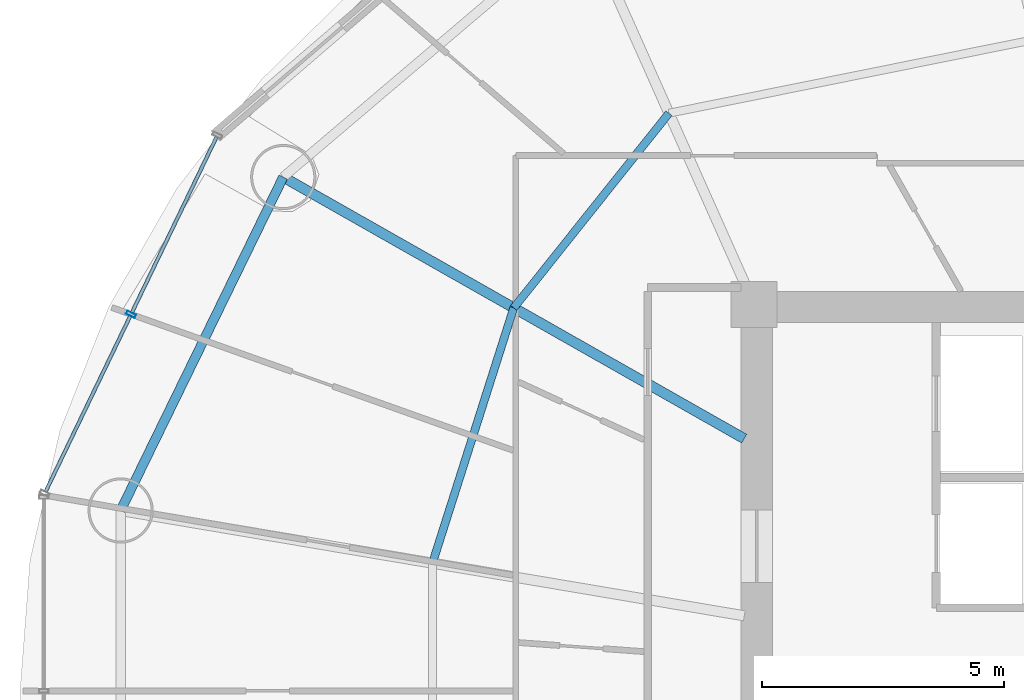
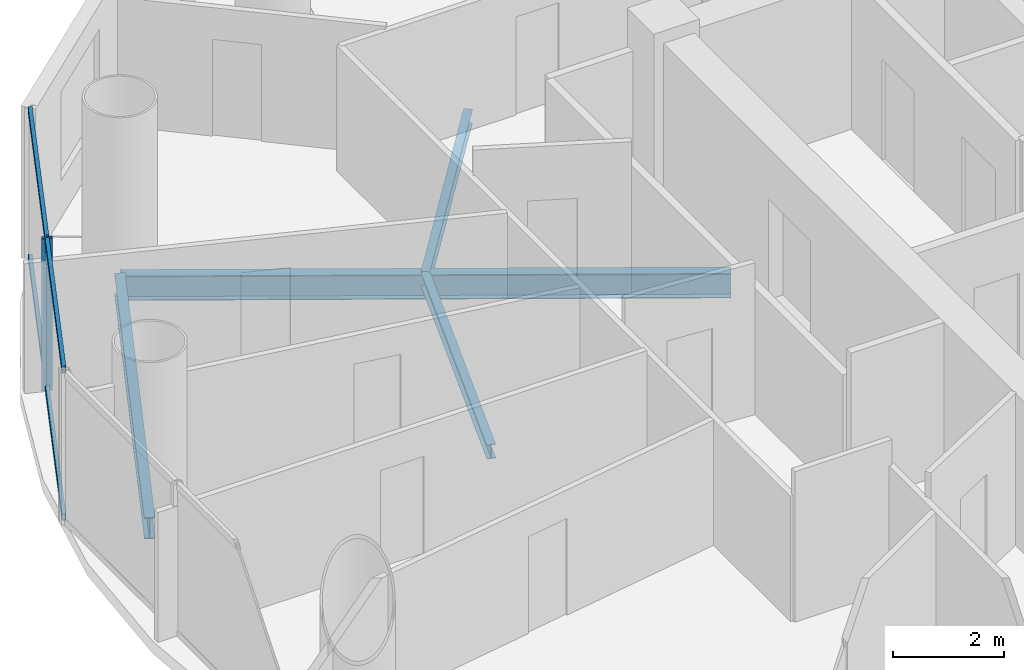
# One storey, part 7 of 26: 5 members, 4 beams, 1 element without a shape of its own.
"""IFC4 building model written with IfcOpenShell, lengths in metres."""

import ifcopenshell
import ifcopenshell.guid

model = None  # the IFC model being written
_history = None  # IfcOwnerHistory: only IFC2X3 demands one
_inside = {}  # id of a spatial element -> (the spatial element, [elements in it])
_under = {}  # id of a project, library or spatial element -> (it, [spatial elements below it])
_declared = {}  # id of a project -> (the project, [libraries it declares])
_typed = {}  # id of a type object -> (the type object, [elements of that type])
_made_of = {}  # id of a material, layer set ... -> (it, [elements and type objects made of it])


def new_model(schema):
    """Start an empty IFC model of exactly this schema.

    Asked for "IFC4X3", IfcOpenShell would pick the latest addendum, in which some entities
    have other attributes; the version numbers below select the first issue.
    IFC2X3 requires an IfcOwnerHistory on every rooted entity: one is made here for all.
    """
    global model, _history
    if schema == "IFC4X3":
        model = ifcopenshell.file(schema_version=(4, 3, 0, 0))
    else:
        model = ifcopenshell.file(schema=schema)
    _inside.clear()
    _under.clear()
    _declared.clear()
    _typed.clear()
    _made_of.clear()
    _history = None
    if model.schema == "IFC2X3":
        org = make("IfcOrganization", Name="unknown")
        user = make(
            "IfcPersonAndOrganization",
            ThePerson=make("IfcPerson", FamilyName="unknown"),
            TheOrganization=org,
        )
        app = make(
            "IfcApplication",
            ApplicationDeveloper=org,
            Version="unknown",
            ApplicationFullName="unknown",
            ApplicationIdentifier="unknown",
        )
        _history = make(
            "IfcOwnerHistory",
            OwningUser=user,
            OwningApplication=app,
            ChangeAction="ADDED",
            CreationDate=0,
        )
    return model


def make(cls, **values):
    """One entity of the class cls with the attributes given. An attribute that is None is left unset."""
    return model.create_entity(
        cls, **{name: value for name, value in values.items() if value is not None}
    )


def rooted(cls, **values):
    """An entity with a GlobalId (a new one), such as an element, a storey or a relation."""
    return make(cls, GlobalId=ifcopenshell.guid.new(), OwnerHistory=_history, **values)


def si_unit(unit_type, name, prefix=None):
    """IfcSIUnit, for example si_unit("LENGTHUNIT", "METRE", prefix="MILLI")."""
    return make("IfcSIUnit", UnitType=unit_type, Prefix=prefix, Name=name)


def assignment(units):
    """IfcUnitAssignment: the units of a project."""
    return None if units is None else make("IfcUnitAssignment", Units=units)


def point(xyz):
    """IfcCartesianPoint."""
    return None if xyz is None else make("IfcCartesianPoint", Coordinates=xyz)


def direction(xyz):
    """IfcDirection."""
    return None if xyz is None else make("IfcDirection", DirectionRatios=xyz)


def frame(location, z_axis=None, x_axis=None):
    """IfcAxis2Placement3D, a coordinate frame: its origin and axes. An axis left out is left unset."""
    return make(
        "IfcAxis2Placement3D",
        Location=point(location),
        Axis=direction(z_axis),
        RefDirection=direction(x_axis),
    )


def frame_2d(location, x_axis=None):
    """IfcAxis2Placement2D, a coordinate frame in the plane: its origin and x axis."""
    return make(
        "IfcAxis2Placement2D", Location=point(location), RefDirection=direction(x_axis)
    )


def origin():
    """The frame at (0, 0, 0) with its axes left unset."""
    return frame((0.0, 0.0, 0.0))


def origin_2d():
    """The frame at (0, 0) in the plane with its x axis left unset."""
    return frame_2d((0.0, 0.0))


def place(relative_to, where):
    """IfcLocalPlacement: puts the frame where relative to a parent placement (None: the world)."""
    return make(
        "IfcLocalPlacement", PlacementRelTo=relative_to, RelativePlacement=where
    )


def context(
    kind, dimensions, precision=None, world=None, true_north=None, identifier=None
):
    """IfcGeometricRepresentationContext, for example the 3D "Model" context."""
    return make(
        "IfcGeometricRepresentationContext",
        ContextIdentifier=identifier,
        ContextType=kind,
        CoordinateSpaceDimension=dimensions,
        Precision=precision,
        WorldCoordinateSystem=world,
        TrueNorth=true_north,
    )


def subcontext(parent, identifier, kind, view, scale=None):
    """IfcGeometricRepresentationSubContext, for example "Body" below "Model"."""
    return make(
        "IfcGeometricRepresentationSubContext",
        ContextIdentifier=identifier,
        ContextType=kind,
        ParentContext=parent,
        TargetScale=scale,
        TargetView=view,
    )


def project(units=None, contexts=None):
    """IfcProject with its units and contexts."""
    return rooted(
        "IfcProject",
        Name="project",
        RepresentationContexts=contexts,
        UnitsInContext=assignment(units),
    )


def spatial(cls, under=None, at=None, **own):
    """A site, building, storey or space (cls), placed at a placement, below another one or the project."""
    s = rooted(cls, ObjectPlacement=at, **own)
    if under is not None:
        _under.setdefault(under.id(), (under, []))[1].append(s)
    return s


def profile(cls, at=None, kind="AREA", **sizes):
    """A parametric profile (cls). Its sizes go by their IFC names, for example OverallWidth=200.0."""
    return make(cls, ProfileType=kind, Position=at, **sizes)


def hollow_rectangle(**sizes):
    """IfcRectangleHollowProfileDef."""
    return profile("IfcRectangleHollowProfileDef", **sizes)


def i_section(**sizes):
    """IfcIShapeProfileDef."""
    return profile("IfcIShapeProfileDef", **sizes)


def extrude(swept, where, along, depth):
    """IfcExtrudedAreaSolid: the profile swept, set in the frame where, extruded along a direction by depth."""
    return make(
        "IfcExtrudedAreaSolid",
        SweptArea=swept,
        Position=where,
        ExtrudedDirection=direction(along),
        Depth=depth,
    )


def shape(context_of_items, identifier, shape_type, items):
    """IfcShapeRepresentation: the items that make up one representation, for example the "Body"."""
    return make(
        "IfcShapeRepresentation",
        ContextOfItems=context_of_items,
        RepresentationIdentifier=identifier,
        RepresentationType=shape_type,
        Items=items,
    )


def source(mapping_origin, context_of_items, identifier, shape_type, items):
    """IfcRepresentationMap: a shape defined once, which mapped items show again and again."""
    return make(
        "IfcRepresentationMap",
        MappingOrigin=mapping_origin,
        MappedRepresentation=shape(context_of_items, identifier, shape_type, items),
    )


def transform(
    local_origin,
    x_axis=None,
    y_axis=None,
    z_axis=None,
    scale=None,
    scale2=None,
    scale3=None,
    uniform=True,
):
    """IfcCartesianTransformationOperator3D, or its non-uniform kind. x_axis, y_axis, z_axis: its Axis1, 2, 3."""
    if uniform:
        return make(
            "IfcCartesianTransformationOperator3D",
            Axis1=direction(x_axis),
            Axis2=direction(y_axis),
            LocalOrigin=point(local_origin),
            Scale=scale,
            Axis3=direction(z_axis),
        )
    return make(
        "IfcCartesianTransformationOperator3DnonUniform",
        Axis1=direction(x_axis),
        Axis2=direction(y_axis),
        LocalOrigin=point(local_origin),
        Scale=scale,
        Axis3=direction(z_axis),
        Scale2=scale2,
        Scale3=scale3,
    )


def mapped(mapping_source, mapping_target):
    """IfcMappedItem: shows the shape of a source again, moved by a transform."""
    return make(
        "IfcMappedItem", MappingSource=mapping_source, MappingTarget=mapping_target
    )


def material(Name=None, Category=None):
    """IfcMaterial."""
    return make("IfcMaterial", Name=Name, Category=Category)


def material_profile(
    of_material, cross_section, Name=None, Category=None, Priority=None
):
    """IfcMaterialProfile: a cross section and its material."""
    return make(
        "IfcMaterialProfile",
        Name=Name,
        Material=of_material,
        Profile=cross_section,
        Priority=Priority,
        Category=Category,
    )


def profile_set(profiles, Name=None, composite=None):
    """IfcMaterialProfileSet."""
    return make(
        "IfcMaterialProfileSet",
        Name=Name,
        MaterialProfiles=profiles,
        CompositeProfile=composite,
    )


def made_of(thing, what):
    """Note that an element or type object is made of a material, layer set ...; save() writes the relation."""
    if what is not None:
        _made_of.setdefault(what.id(), (what, []))[1].append(thing)
    return thing


def type_object(cls, material=None, **own):
    """A type object (cls), such as IfcWallType, which elements share."""
    return made_of(rooted(cls, **own), material)


def element(
    cls,
    number,
    at=None,
    inside=None,
    cuts=None,
    type_object=None,
    material=None,
    context=None,
    identifier="Body",
    shape_type=None,
    held_by="IfcProductDefinitionShape",
    body=None,
    shapes=None,
    **own,
):
    """One element of the class cls, such as IfcWall. Its Tag is "e" and its number.

    at: its placement. inside: the storey or other place that contains it. cuts: it is an
    opening in that element (IfcRelVoidsElement). A single representation is given by context,
    identifier, shape_type and body (its items); several are given by shapes. held_by: the class
    of the entity that holds the representations. save() writes the other relations.
    """
    e = rooted(cls, Tag="e%d" % number, ObjectPlacement=at, **own)
    if body is not None:
        shapes = [shape(context, identifier, shape_type, body)]
    if shapes is not None:
        e.Representation = make(held_by, Representations=shapes)
    if inside is not None:
        _inside.setdefault(inside.id(), (inside, []))[1].append(e)
    if cuts is not None:
        rooted(
            "IfcRelVoidsElement", RelatingBuildingElement=cuts, RelatedOpeningElement=e
        )
    if type_object is not None:
        _typed.setdefault(type_object.id(), (type_object, []))[1].append(e)
    return made_of(e, material)


def aggregate(whole, parts):
    """IfcRelAggregates: a whole, such as a stair, and the parts it consists of."""
    return rooted("IfcRelAggregates", RelatingObject=whole, RelatedObjects=parts)


def save(model, path):
    """Write the relations noted so far, then the file.

    IfcRelAggregates (storeys below a building ...), IfcRelContainedInSpatialStructure (elements
    in a storey), IfcRelDefinesByType, IfcRelAssociatesMaterial and IfcRelDeclares: one each for
    every whole, place, type object, material and project.
    """
    for whole, parts in _under.values():
        aggregate(whole, parts)
    for where, things in _inside.values():
        rooted(
            "IfcRelContainedInSpatialStructure",
            RelatedElements=things,
            RelatingStructure=where,
        )
    for kind, things in _typed.values():
        rooted("IfcRelDefinesByType", RelatedObjects=things, RelatingType=kind)
    for what, things in _made_of.values():
        rooted("IfcRelAssociatesMaterial", RelatedObjects=things, RelatingMaterial=what)
    for by, libraries in _declared.values():
        rooted("IfcRelDeclares", RelatingContext=by, RelatedDefinitions=libraries)
    model.write(path)


model = new_model("IFC4")

# Units and contexts
model_context = context("Model", 3, precision=1e-05, world=origin(), true_north=direction((-0.2419218956, 0.970295726276)))
body_context = subcontext(model_context, "Body", "Model", "MODEL_VIEW")
ifc_project = project(units=[si_unit("LENGTHUNIT", "METRE"), si_unit("AREAUNIT", "SQUARE_METRE"), si_unit("VOLUMEUNIT", "CUBIC_METRE"), si_unit("PLANEANGLEUNIT", "RADIAN"), si_unit("MASSUNIT", "GRAM", prefix="KILO")], contexts=[model_context])

# Site, building, storey
site_placement = place(None, origin())
site = spatial("IfcSite", under=ifc_project, at=site_placement, CompositionType="ELEMENT")
building_placement = place(site_placement, origin())
building = spatial("IfcBuilding", under=site, at=building_placement, Name="Cobrevalo Terracotta Tower", CompositionType="ELEMENT")
storey_placement = place(building_placement, frame((0.0, 0.0, 175.0)))
storey = spatial("IfcBuildingStorey", under=building, at=storey_placement, Name="L46", CompositionType="ELEMENT", Elevation=175.0)

# Beams
ifc_material_1 = material(Name="Steel S355", Category="steel")
ifc_material_profile_1 = material_profile(ifc_material_1, i_section(OverallWidth=0.2109375, OverallDepth=0.5390625, WebThickness=0.01171875, FlangeThickness=0.018798828125, at=origin_2d()), Name="W 530x109")
ifc_profile_set_1 = profile_set([ifc_material_profile_1], Name="Steel S355")
beam_type_1 = type_object("IfcBeamType", Name="Structural Beam W 530x109 (Steel S355)", PredefinedType="BEAM", material=ifc_profile_set_1)
beam_1_placement = place(storey_placement, frame((19.250244140625, 37.439208984375, -0.53955078125), z_axis=(0.869734177783, -0.493520475762, 0.0), x_axis=(0.493520475762, 0.869734177783, 0.0)))
element("IfcBeam", 1, at=beam_1_placement, inside=storey, type_object=beam_type_1, Name="L46 radial floor girder 07", PredefinedType="BEAM", context=body_context, shape_type="SweptSolid", body=[
    extrude(i_section(OverallWidth=0.2109375, OverallDepth=0.5390625, WebThickness=0.01171875, FlangeThickness=0.018798828125, at=origin_2d()), origin(), (0.0, 0.0, 1.0), 10.974365234375),
])
ifc_material_profile_2 = material_profile(ifc_material_1, i_section(OverallWidth=0.1650390625, OverallDepth=0.31005859375, WebThickness=0.005859375, FlangeThickness=0.009765625, at=origin_2d()), Name="W 310x38.7")
ifc_profile_set_2 = profile_set([ifc_material_profile_2], Name="Steel S355")
beam_type_2 = type_object("IfcBeamType", Name="Structural Joist W 310x38.7 (Steel S355)", PredefinedType="JOIST", material=ifc_profile_set_2)
beam_2_placement = place(storey_placement, frame((27.23583984375, 38.76123046875, -0.425048828125), z_axis=(-0.62340602772, -0.781898282773, 0.0), x_axis=(0.781898282773, -0.62340602772, 0.0)))
element("IfcBeam", 2, at=beam_2_placement, inside=storey, type_object=beam_type_2, Name="L46 circumferential secondary floor joist 06", PredefinedType="JOIST", context=body_context, shape_type="SweptSolid", body=[
    extrude(i_section(OverallWidth=0.1650390625, OverallDepth=0.31005859375, WebThickness=0.005859375, FlangeThickness=0.009765625, at=origin_2d()), origin(), (0.0, 0.0, 1.0), 5.154052734375),
])
beam_3_placement = place(storey_placement, frame((24.022705078125, 34.731201171875, -0.425048828125), z_axis=(-0.303497928386, -0.952832098255, 0.0), x_axis=(0.952832098255, -0.303497928386, 0.0)))
element("IfcBeam", 3, at=beam_3_placement, inside=storey, type_object=beam_type_2, Name="L46 circumferential secondary floor joist 07", PredefinedType="JOIST", context=body_context, shape_type="SweptSolid", body=[
    extrude(i_section(OverallWidth=0.1650390625, OverallDepth=0.31005859375, WebThickness=0.005859375, FlangeThickness=0.009765625, at=origin_2d()), origin(), (0.0, 0.0, 1.0), 5.54736328125),
])
ifc_material_profile_3 = material_profile(ifc_material_1, i_section(OverallWidth=0.194091796875, OverallDepth=0.468994140625, WebThickness=0.011474609375, FlangeThickness=0.0205078125, at=origin_2d()), Name="W 460x106")
ifc_profile_set_3 = profile_set([ifc_material_profile_3], Name="Steel S355")
beam_type_3 = type_object("IfcBeamType", Name="Structural Spandrel W 460x106 (Steel S355)", PredefinedType="SPANDREL", material=ifc_profile_set_3)
beam_4_placement = place(storey_placement, frame((19.250244140625, 37.439208984375, -0.50439453125), z_axis=(-0.438367894028, -0.89879563277, 0.0), x_axis=(0.89879563277, -0.438367894028, 0.0)))
element("IfcBeam", 4, at=beam_4_placement, inside=storey, type_object=beam_type_3, Name="L46 perimeter ring spandrel 07", PredefinedType="SPANDREL", context=body_context, shape_type="SweptSolid", body=[
    extrude(i_section(OverallWidth=0.194091796875, OverallDepth=0.468994140625, WebThickness=0.011474609375, FlangeThickness=0.0205078125, at=origin_2d()), origin(), (0.0, 0.0, 1.0), 7.6806640625),
])

# Curtain wall, members
ifc_material_2 = material(Name="Anodized aluminium", Category="aluminium")
curtain_wall_type = type_object("IfcCurtainWallType", Name="Mid-tower high-wind unitised curtain wall CW-U2", PredefinedType="NOTDEFINED", material=ifc_material_2)
curtain_wall_placement = place(storey_placement, origin())
curtain_wall = element("IfcCurtainWall", 5, at=curtain_wall_placement, inside=storey, type_object=curtain_wall_type, Name="L46 curtain wall CW-L46-S07", PredefinedType="NOTDEFINED")
ifc_material_profile_4 = material_profile(ifc_material_2, hollow_rectangle(XDim=0.074951171875, YDim=0.199951171875, WallThickness=0.0048828125, at=origin_2d()), Name="CWM 75x200")
ifc_profile_set_4 = profile_set([ifc_material_profile_4], Name="Anodized aluminium")
member_type_1 = type_object("IfcMemberType", Name="Lower/mid tower unitised mullion 75x200", PredefinedType="MULLION", material=ifc_profile_set_4)
shared_shape_1 = source(origin(), body_context, "Body", "SweptSolid", [
    extrude(hollow_rectangle(XDim=0.074951171875, YDim=0.199951171875, WallThickness=0.0048828125, at=origin_2d()), origin(), (0.0, 0.0, 1.0), 3.330078125),
])
member_1_placement = place(storey_placement, frame((16.098876953125, 34.595703125, 0.0), z_axis=(0.0, 0.0, 1.0), x_axis=(-0.434209440271, -0.900811945957, 0.0)))
member_1 = element("IfcMember", 6, at=member_1_placement, type_object=member_type_1, Name="CW-L46-S07 vertical mullion 02", PredefinedType="MULLION", context=body_context, shape_type="MappedRepresentation", body=[
    mapped(shared_shape_1, transform((0.0, 0.0, 0.0), scale=1.0)),
])
ifc_material_profile_5 = material_profile(ifc_material_2, hollow_rectangle(XDim=0.074951171875, YDim=0.14990234375, WallThickness=0.00439453125, at=origin_2d()), Name="CWT 75x150")
ifc_profile_set_5 = profile_set([ifc_material_profile_5], Name="Anodized aluminium")
member_type_2 = type_object("IfcMemberType", Name="Tower unitised aluminium transom 75x150", PredefinedType="USERDEFINED", material=ifc_profile_set_5)
shared_shape_2 = source(origin(), body_context, "Body", "SweptSolid", [
    extrude(hollow_rectangle(XDim=0.074951171875, YDim=0.14990234375, WallThickness=0.00439453125, at=origin_2d()), origin(), (0.0, 0.0, 1.0), 4.035888671875),
])
member_2_placement = place(storey_placement, frame((17.86865234375, 38.26708984375, 0.050048828125), z_axis=(-0.434221176581, -0.900806288726, 0.0), x_axis=(0.900806288726, -0.434221176581, 0.0)))
member_2 = element("IfcMember", 7, at=member_2_placement, type_object=member_type_2, Name="CW-L46-S07 transom B01-T1", ObjectType="TRANSOM", PredefinedType="USERDEFINED", context=body_context, shape_type="MappedRepresentation", body=[
    mapped(shared_shape_2, transform((0.0, 0.0, 0.0), scale=1.0)),
])
member_3_placement = place(storey_placement, frame((17.86865234375, 38.26708984375, 3.280029296875), z_axis=(-0.434221176581, -0.900806288726, 0.0), x_axis=(0.900806288726, -0.434221176581, 0.0)))
member_3 = element("IfcMember", 8, at=member_3_placement, type_object=member_type_2, Name="CW-L46-S07 transom B01-T2", ObjectType="TRANSOM", PredefinedType="USERDEFINED", context=body_context, shape_type="MappedRepresentation", body=[
    mapped(shared_shape_2, transform((0.0, 0.0, 0.0), scale=1.0)),
])
member_4_placement = place(storey_placement, frame((16.08154296875, 34.5595703125, 0.050048828125), z_axis=(-0.434221176581, -0.900806288726, 0.0), x_axis=(0.900806288726, -0.434221176581, 0.0)))
member_4 = element("IfcMember", 9, at=member_4_placement, type_object=member_type_2, Name="CW-L46-S07 transom B02-T1", ObjectType="TRANSOM", PredefinedType="USERDEFINED", context=body_context, shape_type="MappedRepresentation", body=[
    mapped(shared_shape_2, transform((0.0, 0.0, 0.0), scale=1.0)),
])
member_5_placement = place(storey_placement, frame((16.08154296875, 34.5595703125, 3.280029296875), z_axis=(-0.434221176581, -0.900806288726, 0.0), x_axis=(0.900806288726, -0.434221176581, 0.0)))
member_5 = element("IfcMember", 10, at=member_5_placement, type_object=member_type_2, Name="CW-L46-S07 transom B02-T2", ObjectType="TRANSOM", PredefinedType="USERDEFINED", context=body_context, shape_type="MappedRepresentation", body=[
    mapped(shared_shape_2, transform((0.0, 0.0, 0.0), scale=1.0)),
])
aggregate(curtain_wall, [member_1, member_2, member_3, member_4, member_5])

save(model, "model.ifc")
